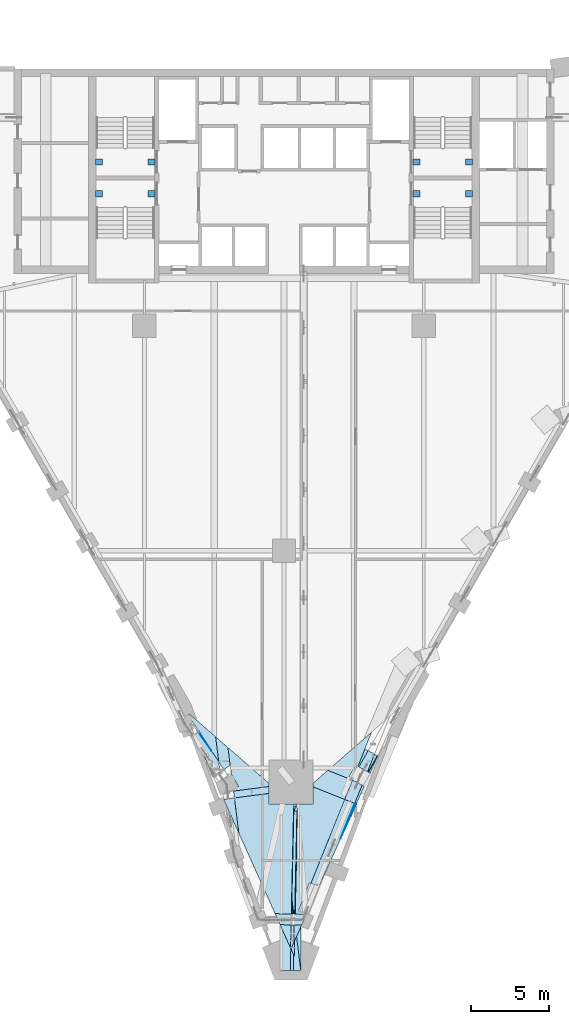
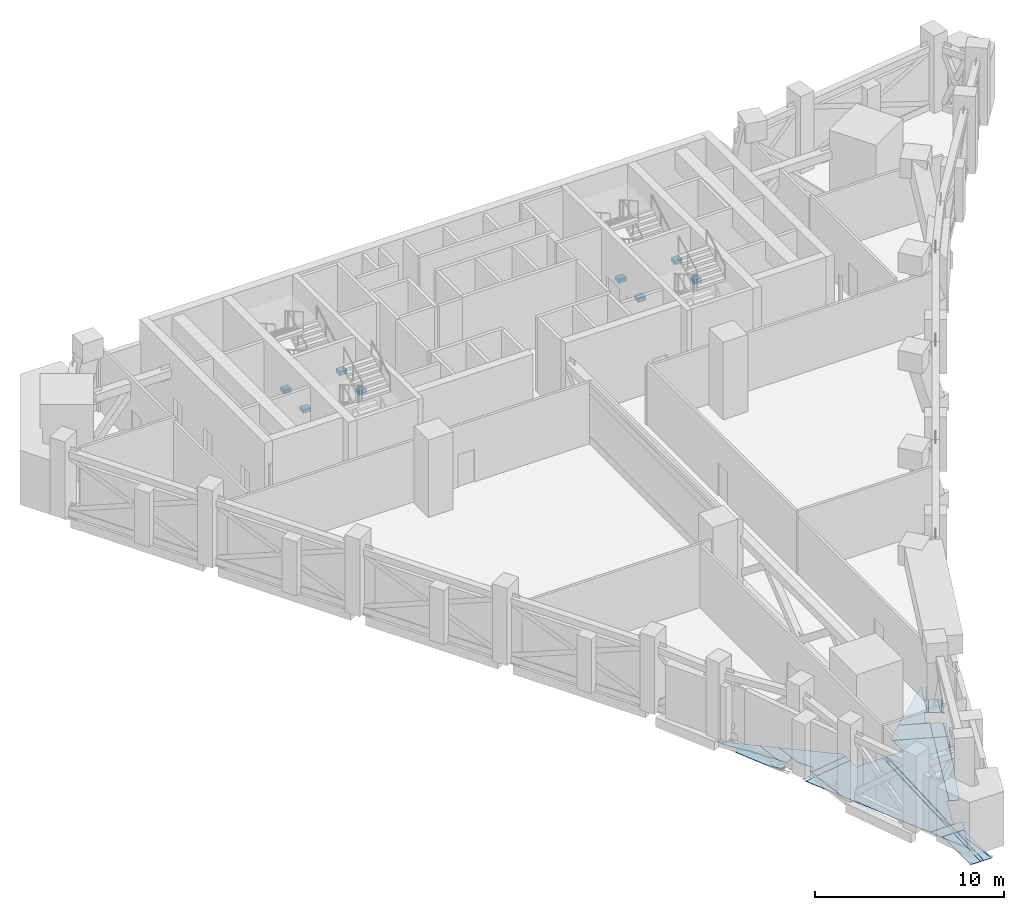
# One storey, part 6 of 20: 32 plates, 8 beams.
"""IFC4 building model written with IfcOpenShell, lengths in metres."""

from ifc_helpers import new_model, si_unit, direction, frame, origin, origin_2d, place, context, subcontext, project, spatial, polyline, rectangle, outline, extrude, material, layer, layer_set, material_profile, profile_set, type_object, element, save


model = new_model("IFC4")

# Units and contexts
model_context = context("Model", 3, precision=1e-05, world=origin(), true_north=direction((0.0, 1.0)))
body_context = subcontext(model_context, "Body", "Model", "MODEL_VIEW")
ifc_project = project(units=[si_unit("LENGTHUNIT", "METRE"), si_unit("AREAUNIT", "SQUARE_METRE"), si_unit("VOLUMEUNIT", "CUBIC_METRE"), si_unit("PLANEANGLEUNIT", "RADIAN"), si_unit("MASSUNIT", "GRAM", prefix="KILO")], contexts=[model_context])

# Site, building, storey
site_placement = place(None, origin())
site = spatial("IfcSite", under=ifc_project, at=site_placement, CompositionType="ELEMENT")
building_placement = place(site_placement, origin())
building = spatial("IfcBuilding", under=site, at=building_placement, Name="Calabash Gate Tower", CompositionType="ELEMENT")
storey_placement = place(building_placement, frame((0.0, 0.0, 139.60009765625)))
storey = spatial("IfcBuildingStorey", under=building, at=storey_placement, Name="L32", CompositionType="ELEMENT", Elevation=139.60009765625)

# Beams
ifc_material_1 = material(Name="Concrete C60/75", Category="concrete")
ifc_material_profile = material_profile(ifc_material_1, rectangle(XDim=0.39990234375, YDim=0.25, at=origin_2d()))
ifc_profile_set = profile_set([ifc_material_profile], Name="Concrete C60/75")
beam_type = type_object("IfcBeamType", Name="Landing corbel RC 400x250 Concrete C60/75", PredefinedType="BEAM", material=ifc_profile_set)
for number, where, z_axis, x_axis, name in (
    (1, (-12.14990234375, 13.052978515625, 2.173828125), (1.0, 0.0, 0.0), (0.0, 1.0, 0.0), "Landing corbel ST1-L32/L2 west"),
    (2, (-8.300048828125, 13.052978515625, 2.173828125), (-1.0, 0.0, 0.0), (0.0, -1.0, 0.0), "Landing corbel ST1-L32/L2 east"),
    (3, (-12.14990234375, 11.0029296875, 2.173828125), (1.0, 0.0, 0.0), (0.0, 1.0, 0.0), "Landing corbel ST2-L32/L2 west"),
    (4, (-8.300048828125, 11.0029296875, 2.173828125), (-1.0, 0.0, 0.0), (0.0, -1.0, 0.0), "Landing corbel ST2-L32/L2 east"),
    (5, (8.300048828125, 13.052978515625, 2.173828125), (1.0, 0.0, 0.0), (0.0, 1.0, 0.0), "Landing corbel ST3-L32/L2 west"),
    (6, (12.14990234375, 13.052978515625, 2.173828125), (-1.0, 0.0, 0.0), (0.0, -1.0, 0.0), "Landing corbel ST3-L32/L2 east"),
    (7, (8.300048828125, 11.0029296875, 2.173828125), (1.0, 0.0, 0.0), (0.0, 1.0, 0.0), "Landing corbel ST4-L32/L2 west"),
    (8, (12.14990234375, 11.0029296875, 2.173828125), (-1.0, 0.0, 0.0), (0.0, -1.0, 0.0), "Landing corbel ST4-L32/L2 east"),
):
    element("IfcBeam", number, at=place(storey_placement, frame(where, z_axis=z_axis, x_axis=x_axis)), inside=storey, type_object=beam_type, Name=name, PredefinedType="BEAM", context=body_context, shape_type="SweptSolid", body=[
        extrude(rectangle(XDim=0.39990234375, YDim=0.25, at=origin_2d()), origin(), (0.0, 0.0, 1.0), 0.449951171875),
    ])

# Plates
ifc_material_2 = material(Name="Dark tinted laminated glass", Category="glass")
ifc_layer_1 = layer(ifc_material_2, 0.030029296875)
ifc_layer_set_1 = layer_set([ifc_layer_1], Name="Dark glass soffit plate 30")
plate_type_1 = type_object("IfcPlateType", Name="Dark glass soffit plate 30", PredefinedType="SHEET", material=ifc_layer_set_1)
plate_1_placement = place(storey_placement, frame((-0.97802734375, -28.318115234375, -0.947998046875), z_axis=(-0.02578868743, -0.011668961285, 0.999599309195), x_axis=(0.999667371279, -2.82168e-07, 0.025790440071)))
element("IfcPlate", 9, at=plate_1_placement, inside=storey, type_object=plate_type_1, Name="Dark glass soffit SOF-Z3-S-01", PredefinedType="SHEET", context=body_context, shape_type="SweptSolid", body=[
    extrude(outline(polyline([(0.0, 0.0), (1.54443359375, 0.0), (1.673583984375, -0.11181640625), (1.50830078125, -7.08544921875), (0.399169921875, -7.059326171875), (-1.93115234375, -1.88623046875), (-2.2236328125, 0.399169921875), (0.000244140625, 0.68408203125), (0.0, 0.0)])), origin(), (0.0, 0.0, -1.0), 0.030029296875),
])
plate_2_placement = place(storey_placement, frame((1.64208984375, -33.39208984375, -0.97314453125), z_axis=(0.01032916267, -0.011667096675, 0.999878586256), x_axis=(-0.368026764894, -0.929788489262, -0.007047379519)))
element("IfcPlate", 10, at=plate_2_placement, inside=storey, type_object=plate_type_1, Name="Dark glass soffit SOF-Z3-S-02", PredefinedType="SHEET", context=body_context, shape_type="SweptSolid", body=[
    extrude(outline(polyline([(0.0, 0.0), (2.03271484375, 0.0), (2.032470703125, 0.084716796875), (2.140625, 0.08349609375), (2.232177734375, -0.162109375), (-4.416015625, -2.631103515625), (-4.802734375, -1.65380859375), (-5.838623046875, -2.063720703125), (-5.82763671875, 0.1259765625), (-0.000244140625, 0.095458984375), (0.0, 0.0)])), origin(), (0.0, 0.0, -1.0), 0.030029296875),
])
plate_3_placement = place(storey_placement, frame((2.251953125, -33.633056640625, -0.982177734375), z_axis=(0.010565063797, -0.011833862043, 0.99987416165), x_axis=(-0.929818218422, 0.367745954301, 0.014177227726)))
element("IfcPlate", 11, at=plate_3_placement, inside=storey, type_object=plate_type_1, Name="Dark glass soffit SOF-Z3-S-03", PredefinedType="SHEET", context=body_context, shape_type="SweptSolid", body=[
    extrude(outline(polyline([(0.0, 0.0), (0.560302734375, 0.0), (0.52880859375, -5.827392578125), (-0.1708984375, -5.8232421875), (-0.157958984375, -3.373779296875), (0.0, 0.0)])), origin(), (0.0, 0.0, -1.0), 0.030029296875),
])
plate_4_placement = place(storey_placement, frame((-2.943115234375, -27.1669921875, -0.985107421875), z_axis=(-0.025825613215, -0.011637048346, 0.999598727894), x_axis=(-0.499676144322, 0.86620769304, -0.002825475819)))
element("IfcPlate", 12, at=plate_4_placement, inside=storey, type_object=plate_type_1, Name="Dark glass soffit SOF-Z3-S-04", PredefinedType="SHEET", context=body_context, shape_type="SweptSolid", body=[
    extrude(outline(polyline([(0.0, 0.0), (0.900390625, 0.0), (0.90087890625, 0.00439453125), (2.496337890625, -0.66357421875), (-0.81298828125, -1.80029296875), (-0.99951171875, -1.69287109375), (-0.11328125, 0.427978515625), (0.000244140625, 0.380859375), (0.0, 0.0)])), origin(), (0.0, 0.0, -1.0), 0.030029296875),
])
plate_5_placement = place(storey_placement, frame((1.8720703125, -26.968017578125, -0.900146484375), z_axis=(0.01027096332, -0.011660301912, 0.999879265047), x_axis=(0.753646082795, 0.657280439403, -7.6592156e-05)))
element("IfcPlate", 13, at=plate_5_placement, inside=storey, type_object=plate_type_1, Name="Dark glass soffit SOF-Z3-S-05", PredefinedType="SHEET", context=body_context, shape_type="SweptSolid", body=[
    extrude(outline(polyline([(0.0, 0.0), (1.256591796875, 0.0), (2.03173828125, -1.521240234375), (0.83984375, -2.128662109375), (-0.1552734375, -0.177978515625), (0.0, 0.0)])), origin(), (0.0, 0.0, -1.0), 0.030029296875),
])
plate_6_placement = place(storey_placement, frame((4.612060546875, -25.81591796875, -0.9140625), z_axis=(0.010055944201, -0.011740820644, 0.999880508419), x_axis=(-0.499654160655, -0.866209695774, -0.005146133238)))
element("IfcPlate", 14, at=plate_6_placement, inside=storey, type_object=plate_type_1, Name="Dark glass soffit SOF-Z3-S-06", PredefinedType="SHEET", context=body_context, shape_type="SweptSolid", body=[
    extrude(outline(polyline([(0.0, 0.0), (0.900634765625, 0.0), (0.900390625, 0.294189453125), (0.938720703125, 0.30029296875), (1.17822265625, -1.390380859375), (-2.373046875, -0.170654296875), (0.0, 0.166259765625), (0.0, 0.0)])), origin(), (0.0, 0.0, -1.0), 0.030029296875),
])
plate_7_placement = place(storey_placement, frame((-0.18896484375, -39.050048828125, -1.02001953125), z_axis=(0.00064986809, -0.011659722959, 0.999931811941), x_axis=(-8.4718e-08, 0.99993202309, 0.011659725476)))
element("IfcPlate", 15, at=plate_7_placement, inside=storey, type_object=plate_type_1, Name="Dark glass soffit SOF-Z3-S-07", PredefinedType="SHEET", context=body_context, shape_type="SweptSolid", body=[
    extrude(outline(polyline([(0.0, 0.0), (2.961181640625, 0.0), (2.947265625, -0.658935546875), (0.0, -0.593994140625), (0.0, 0.0)])), origin(), (0.0, 0.0, -1.0), 0.030029296875),
])
plate_8_placement = place(storey_placement, frame((-4.2041015625, -25.593017578125, -1.0), z_axis=(-0.025404587951, -0.011337242408, 0.999612962024), x_axis=(0.12662039261, -0.991918728156, -0.008031992856)))
element("IfcPlate", 16, at=plate_8_placement, inside=storey, type_object=plate_type_1, Name="Dark glass soffit SOF-Z3-S-08", PredefinedType="SHEET", context=body_context, shape_type="SweptSolid", body=[
    extrude(outline(polyline([(0.0, 0.0), (0.663330078125, 0.0), (0.812744140625, -0.307373046875), (0.019775390625, -0.73974609375), (-1.9345703125, -1.337158203125), (-2.072509765625, -1.08349609375), (-0.773681640625, -0.375244140625), (0.0, 0.0)])), origin(), (0.0, 0.0, -1.0), 0.030029296875),
])
plate_9_placement = place(storey_placement, frame((0.821044921875, -28.318115234375, -0.905029296875), z_axis=(0.009531031043, -0.011638069692, 0.999886850989), x_axis=(-0.02130922968, -0.99970756045, -0.011432860947)))
element("IfcPlate", 17, at=plate_9_placement, inside=storey, type_object=plate_type_1, Name="Dark glass soffit SOF-Z3-S-09", PredefinedType="SHEET", context=body_context, shape_type="SweptSolid", body=[
    extrude(outline(polyline([(0.0, 0.0), (7.091796875, 0.0), (7.09228515625, -0.202880859375), (0.00439453125, -0.2021484375), (0.0, 0.0)])), origin(), (0.0, 0.0, -1.0), 0.030029296875),
])
plate_10_placement = place(storey_placement, frame((-5.93994140625, -22.930908203125, -1.01416015625), z_axis=(-0.026671778268, -0.012123507976, 0.999570726261), x_axis=(-0.421458497782, 0.906847657354, -0.000246978817)))
element("IfcPlate", 18, at=plate_10_placement, inside=storey, type_object=plate_type_1, Name="Dark glass soffit SOF-Z3-S-10", PredefinedType="SHEET", context=body_context, shape_type="SweptSolid", body=[
    extrude(outline(polyline([(0.0, 0.0), (0.527099609375, 0.0), (-1.595703125, -0.94482421875), (-3.145751953125, -0.452392578125), (0.0, 0.0)])), origin(), (0.0, 0.0, -1.0), 0.030029296875),
])
plate_11_placement = place(storey_placement, frame((0.8798828125, -28.592041015625, -0.903076171875), z_axis=(-0.026776992495, -0.011710046355, 0.999572842512), x_axis=(-0.023309704521, -0.999652187225, -0.012335406395)))
element("IfcPlate", 19, at=plate_11_placement, inside=storey, type_object=plate_type_1, Name="Dark glass soffit SOF-Z3-S-11", PredefinedType="SHEET", context=body_context, shape_type="SweptSolid", body=[
    extrude(outline(polyline([(0.0, 0.0), (6.818359375, 0.0), (6.81787109375, -0.189208984375), (-0.15771484375, -0.188720703125), (0.0, 0.0)])), origin(), (0.0, 0.0, -1.0), 0.030029296875),
])
plate_12_placement = place(storey_placement, frame((0.507080078125, -34.4140625, -0.966064453125), z_axis=(0.001214055783, -0.01165305215, 0.999931363867), x_axis=(0.021943655173, 0.999691636233, 0.01162361575)))
element("IfcPlate", 20, at=plate_12_placement, inside=storey, type_object=plate_type_1, Name="Dark glass soffit SOF-Z3-S-12", PredefinedType="SHEET", context=body_context, shape_type="SweptSolid", body=[
    extrude(outline(polyline([(0.0, 0.0), (5.65185546875, 0.0), (5.65625, -0.198974609375), (-0.98974609375, -0.19873046875), (-0.989990234375, -0.1435546875), (0.0, 0.0)])), origin(), (0.0, 0.0, -1.0), 0.030029296875),
])
plate_13_placement = place(storey_placement, frame((-4.410888671875, -23.97998046875, -0.986083984375), z_axis=(-0.025931576373, -0.011580153934, 0.999596645343), x_axis=(0.753658930131, -0.657157280802, 0.011938397043)))
element("IfcPlate", 21, at=plate_13_placement, inside=storey, type_object=plate_type_1, Name="Dark glass soffit SOF-Z3-S-13", PredefinedType="SHEET", context=body_context, shape_type="SweptSolid", body=[
    extrude(outline(polyline([(0.0, 0.0), (1.0546875, 0.0), (1.923095703125, -0.7724609375), (1.7900390625, -1.24267578125), (1.2158203125, -1.080322265625), (0.0, 0.0)])), origin(), (0.0, 0.0, -1.0), 0.030029296875),
])
plate_14_placement = place(storey_placement, frame((-0.97802734375, -27.634033203125, -0.940185546875), z_axis=(-0.025753216764, -0.011810731221, 0.99959855865), x_axis=(-0.991522956485, -0.127085407878, -0.027046734897)))
element("IfcPlate", 22, at=plate_14_placement, inside=storey, type_object=plate_type_1, Name="Dark glass soffit SOF-Z3-S-14", PredefinedType="SHEET", context=body_context, shape_type="SweptSolid", body=[
    extrude(outline(polyline([(0.0, 0.0), (2.241943359375, 0.0), (2.241455078125, -0.443603515625), (-0.056884765625, -0.443359375), (0.0, 0.0)])), origin(), (0.0, 0.0, -1.0), 0.030029296875),
])
plate_15_placement = place(storey_placement, frame((1.077880859375, -39.050048828125, -1.02001953125), z_axis=(-0.025170271002, -0.011658487656, 0.999615194524), x_axis=(-0.411184713086, 0.911552003209, 0.000277794014)))
element("IfcPlate", 23, at=plate_15_placement, inside=storey, type_object=plate_type_1, Name="Dark glass soffit SOF-Z3-S-15", PredefinedType="SHEET", context=body_context, shape_type="SweptSolid", body=[
    extrude(outline(polyline([(0.0, 0.0), (1.023681640625, 0.0), (2.835693359375, -0.869384765625), (2.674560546875, -1.206787109375), (0.0, 0.0)])), origin(), (0.0, 0.0, -1.0), 0.030029296875),
])
plate_16_placement = place(storey_placement, frame((-2.907958984375, -30.2041015625, -1.02001953125), z_axis=(-0.025928497836, -0.011654131935, 0.999595865442), x_axis=(-0.4099640934, 0.912101662164, 0.0)))
element("IfcPlate", 24, at=plate_16_placement, inside=storey, type_object=plate_type_1, Name="Dark glass soffit SOF-Z3-S-18", PredefinedType="SHEET", context=body_context, shape_type="SweptSolid", body=[
    extrude(outline(polyline([(0.0, 0.0), (2.40771484375, 0.0), (2.204345703125, -0.669921875), (0.0, 0.0)])), origin(), (0.0, 0.0, -1.0), 0.030029296875),
])
plate_17_placement = place(storey_placement, frame((1.077880859375, -39.050048828125, -1.02001953125), z_axis=(-2.1624275e-05, -0.011536550529, 0.999933451553), x_axis=(-0.999999999766, 2.4947e-07, -2.1622836e-05)))
element("IfcPlate", 25, at=plate_17_placement, inside=storey, type_object=plate_type_1, Name="Dark glass soffit SOF-Z3-S-19", PredefinedType="SHEET", context=body_context, shape_type="SweptSolid", body=[
    extrude(outline(polyline([(0.0, 0.0), (0.473876953125, 0.0), (0.408935546875, -2.9423828125), (0.36181640625, -2.94140625), (0.0, 0.0)])), origin(), (0.0, 0.0, -1.0), 0.030029296875),
])
plate_18_placement = place(storey_placement, frame((-0.576904296875, -35.376953125, -1.02001953125), z_axis=(-0.025677665455, -0.011049954735, 0.999609201637), x_axis=(0.999399691052, -0.023547583511, 0.025411982152)))
element("IfcPlate", 26, at=plate_18_placement, inside=storey, type_object=plate_type_1, Name="Dark glass soffit SOF-Z3-S-22", PredefinedType="SHEET", context=body_context, shape_type="SweptSolid", body=[
    extrude(outline(polyline([(0.0, 0.0), (1.109619140625, 0.0), (1.108642578125, -0.7001953125), (0.33544921875, -0.700439453125), (0.0, 0.0)])), origin(), (0.0, 0.0, -1.0), 0.030029296875),
])
plate_19_placement = place(storey_placement, frame((-0.258056640625, -36.0849609375, -1.02001953125), z_axis=(-0.026165178239, -0.011793692987, 0.99958806128), x_axis=(0.999391988506, -0.023359130496, 0.025884441901)))
element("IfcPlate", 27, at=plate_19_placement, inside=storey, type_object=plate_type_1, Name="Dark glass soffit SOF-Z3-S-23", PredefinedType="SHEET", context=body_context, shape_type="SweptSolid", body=[
    extrude(outline(polyline([(0.0, 0.0), (0.7734375, 0.0), (0.773681640625, -1.615478515625), (0.0, 0.0)])), origin(), (0.0, 0.0, -1.0), 0.030029296875),
])
plate_20_placement = place(storey_placement, frame((0.405029296875, -39.050048828125, -1.02001953125), z_axis=(-0.000141360326, -0.01152086657, 0.999933622622), x_axis=(0.02202947573, 0.99969093449, 0.011521184707)))
element("IfcPlate", 28, at=plate_20_placement, inside=storey, type_object=plate_type_1, Name="Dark glass soffit SOF-Z3-S-24", PredefinedType="SHEET", context=body_context, shape_type="SweptSolid", body=[
    extrude(outline(polyline([(0.0, 0.0), (2.947998046875, 0.0), (2.947509765625, -0.198974609375), (0.00439453125, -0.198974609375), (0.0, 0.0)])), origin(), (0.0, 0.0, -1.0), 0.030029296875),
])
plate_21_placement = place(storey_placement, frame((1.416015625, -35.488037109375, -0.9951171875), z_axis=(0.010520356559, -0.011596896001, 0.999877409536), x_axis=(-0.409776500254, -0.912164421251, -0.00626804944)))
element("IfcPlate", 29, at=plate_21_placement, inside=storey, type_object=plate_type_1, Name="Dark glass soffit SOF-Z3-S-26", PredefinedType="SHEET", context=body_context, shape_type="SweptSolid", body=[
    extrude(outline(polyline([(0.0, 0.0), (0.6904296875, 0.0), (0.877197265625, -0.440185546875), (0.232666015625, -0.71337890625), (0.00830078125, -0.18505859375), (0.0, 0.0)])), origin(), (0.0, 0.0, -1.0), 0.030029296875),
])
plate_22_placement = place(storey_placement, frame((0.47802734375, -37.718017578125, -1.02001953125), z_axis=(-0.026181722902, -0.011783726254, 0.999587745614), x_axis=(0.022819462305, 0.999662918437, 0.012382311678)))
element("IfcPlate", 30, at=plate_22_placement, inside=storey, type_object=plate_type_1, Name="Dark glass soffit SOF-Z3-S-27", PredefinedType="SHEET", context=body_context, shape_type="SweptSolid", body=[
    extrude(outline(polyline([(0.0, 0.0), (1.615478515625, 0.0), (1.614990234375, -0.189453125), (-0.394775390625, -0.18798828125), (0.0, 0.0)])), origin(), (0.0, 0.0, -1.0), 0.030029296875),
])
plate_23_placement = place(storey_placement, frame((0.41796875, -37.7041015625, -1.010009765625), z_axis=(0.010614177039, -0.01151703779, 0.999877341021), x_axis=(0.021191134016, 0.999711692325, 0.011290175733)))
element("IfcPlate", 31, at=plate_23_placement, inside=storey, type_object=plate_type_1, Name="Dark glass soffit SOF-Z3-S-29", PredefinedType="SHEET", context=body_context, shape_type="SweptSolid", body=[
    extrude(outline(polyline([(0.0, 0.0), (1.6015625, 0.0), (1.600830078125, -0.203125), (0.4765625, -0.201904296875), (0.0, 0.0)])), origin(), (0.0, 0.0, -1.0), 0.030029296875),
])
plate_24_placement = place(storey_placement, frame((0.6298828125, -37.23193359375, -1.007080078125), z_axis=(0.009967600574, -0.011733358239, 0.999881480598), x_axis=(0.022364773015, 0.999683640388, 0.011508087085)))
element("IfcPlate", 32, at=plate_24_placement, inside=storey, type_object=plate_type_1, Name="Dark glass soffit SOF-Z3-S-30", PredefinedType="SHEET", context=body_context, shape_type="SweptSolid", body=[
    extrude(outline(polyline([(0.0, 0.0), (1.124267578125, 0.0), (1.125, -0.478271484375), (0.0, 0.0)])), origin(), (0.0, 0.0, -1.0), 0.030029296875),
])
plate_25_placement = place(storey_placement, frame((5.216064453125, -24.7548828125, -0.908203125), z_axis=(0.012492869003, -0.012835791701, 0.999839572469), x_axis=(0.867335929587, -0.49742511929, -0.017223122431)))
element("IfcPlate", 33, at=plate_25_placement, inside=storey, type_object=plate_type_1, Name="Dark glass soffit SOF-Z3-S-32", PredefinedType="SHEET", context=body_context, shape_type="SweptSolid", body=[
    extrude(outline(polyline([(0.0, 0.0), (0.231689453125, 0.0), (0.235107421875, -1.2119140625), (0.169189453125, -1.21142578125), (0.0, 0.0)])), origin(), (0.0, 0.0, -1.0), 0.030029296875),
])
plate_26_placement = place(storey_placement, frame((5.1630859375, -27.173095703125, -0.93603515625), z_axis=(0.007523889605, -0.010533223983, 0.999916217629), x_axis=(-0.410631626001, -0.911778055783, -0.006514961301)))
element("IfcPlate", 34, at=plate_26_placement, inside=storey, type_object=plate_type_1, Name="Dark glass soffit SOF-Z3-S-35", PredefinedType="SHEET", context=body_context, shape_type="SweptSolid", body=[
    extrude(outline(polyline([(0.0, 0.0), (1.2568359375, 0.0), (1.2607421875, -0.101318359375), (-0.015380859375, -0.15380859375), (0.0, 0.0)])), origin(), (0.0, 0.0, -1.0), 0.030029296875),
])
plate_27_placement = place(storey_placement, frame((3.639892578125, -30.553955078125, -0.960205078125), z_axis=(0.006314652291, -0.010054980149, 0.999929508786), x_axis=(0.37275595281, 0.927903187344, 0.006976715694)))
element("IfcPlate", 35, at=plate_27_placement, inside=storey, type_object=plate_type_1, Name="Dark glass soffit SOF-Z3-S-39", PredefinedType="SHEET", context=body_context, shape_type="SweptSolid", body=[
    extrude(outline(polyline([(0.0, 0.0), (2.449462890625, 0.0), (2.44921875, -0.101318359375), (0.0, 0.0)])), origin(), (0.0, 0.0, -1.0), 0.030029296875),
])
plate_28_placement = place(storey_placement, frame((5.541015625, -26.3349609375, -0.93017578125), z_axis=(0.010075641725, -0.011557068029, 0.999882450902), x_axis=(-0.869271173573, 0.494123692122, 0.014470787059)))
element("IfcPlate", 36, at=plate_28_placement, inside=storey, type_object=plate_type_1, Name="Dark glass soffit SOF-Z3-S-41", PredefinedType="SHEET", context=body_context, shape_type="SweptSolid", body=[
    extrude(outline(polyline([(0.0, 0.0), (0.13330078125, 0.0), (0.13232421875, -1.2119140625), (0.11376953125, -1.2119140625), (0.0, 0.0)])), origin(), (0.0, 0.0, -1.0), 0.030029296875),
])
plate_29_placement = place(storey_placement, frame((-4.674072265625, -24.873046875, -1.004150390625), z_axis=(-0.02801255046, -0.01353869732, 0.999515883161), x_axis=(-0.585933622885, 0.810340755277, -0.005445173065)))
element("IfcPlate", 37, at=plate_29_placement, inside=storey, type_object=plate_type_1, Name="Dark glass soffit SOF-Z3-S-44", PredefinedType="SHEET", context=body_context, shape_type="SweptSolid", body=[
    extrude(outline(polyline([(0.0, 0.0), (1.4794921875, 0.0), (1.4794921875, -0.07177734375), (0.0, 0.0)])), origin(), (0.0, 0.0, -1.0), 0.030029296875),
])
ifc_material_3 = material(Name="Dark bronze anodised aluminium panel", Category="aluminium")
ifc_layer_2 = layer(ifc_material_3, 0.030029296875)
ifc_layer_set_2 = layer_set([ifc_layer_2], Name="Dark soffit panel plate 30")
plate_type_2 = type_object("IfcPlateType", Name="Dark soffit panel plate 30", PredefinedType="SHEET", material=ifc_layer_set_2)
plate_30_placement = place(storey_placement, frame((5.029052734375, -27.095947265625, -0.93408203125), z_axis=(0.010286177831, -0.011907356791, 0.999876197036), x_axis=(-0.37276671618, -0.927897038489, -0.007215349652)))
element("IfcPlate", 38, at=plate_30_placement, inside=storey, type_object=plate_type_2, Name="Dark soffit panel SOF-Z3-S-16", PredefinedType="SHEET", context=body_context, shape_type="SweptSolid", body=[
    extrude(outline(polyline([(0.0, 0.0), (1.277099609375, 0.0), (1.27685546875, -0.699462890625), (-0.060791015625, -0.698974609375), (-0.0615234375, -0.4267578125), (0.0, 0.0)])), origin(), (0.0, 0.0, -1.0), 0.030029296875),
])
plate_31_placement = place(storey_placement, frame((5.3740234375, -26.239990234375, -0.927001953125), z_axis=(0.009994304762, -0.01118377043, 0.999887512249), x_axis=(-0.869139273125, 0.494363028657, 0.014216884623)))
element("IfcPlate", 39, at=plate_31_placement, inside=storey, type_object=plate_type_2, Name="Dark soffit panel SOF-Z3-S-21", PredefinedType="SHEET", context=body_context, shape_type="SweptSolid", body=[
    extrude(outline(polyline([(0.0, 0.0), (0.64111328125, 0.0), (0.64013671875, -1.2119140625), (0.164794921875, -1.212158203125), (0.0, 0.0)])), origin(), (0.0, 0.0, -1.0), 0.030029296875),
])
plate_32_placement = place(storey_placement, frame((5.830078125, -25.10498046875, -0.919189453125), z_axis=(0.009666588335, -0.010912970679, 0.999893726423), x_axis=(0.868630657627, -0.495267864562, -0.013803005561)))
element("IfcPlate", 40, at=plate_32_placement, inside=storey, type_object=plate_type_2, Name="Dark soffit panel SOF-Z3-S-34", PredefinedType="SHEET", context=body_context, shape_type="SweptSolid", body=[
    extrude(outline(polyline([(0.0, 0.0), (0.224365234375, 0.0), (0.224853515625, -1.2119140625), (0.166015625, -1.2119140625), (0.0, 0.0)])), origin(), (0.0, 0.0, -1.0), 0.030029296875),
])

save(model, "model.ifc")
